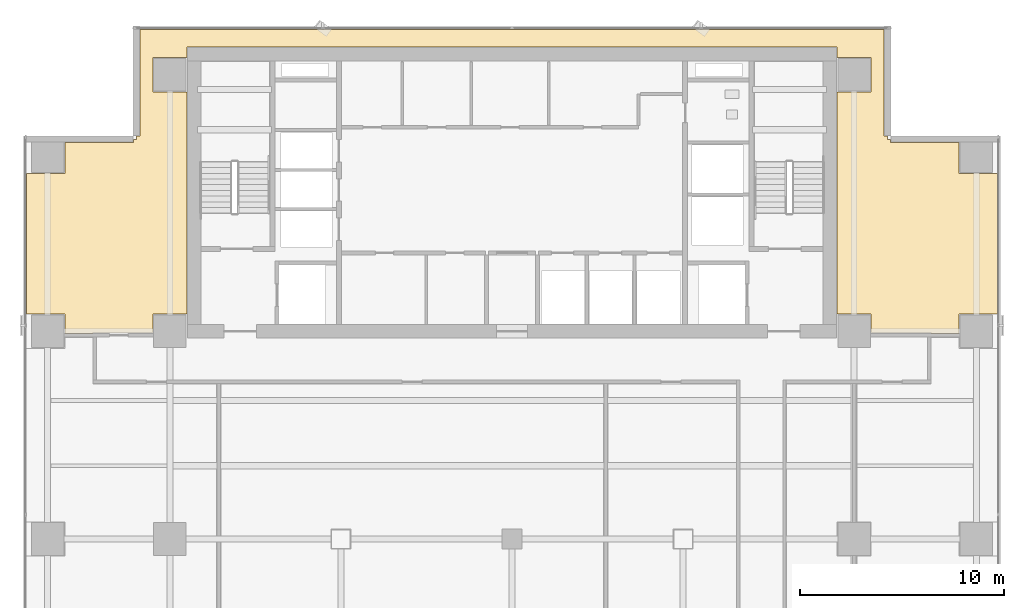
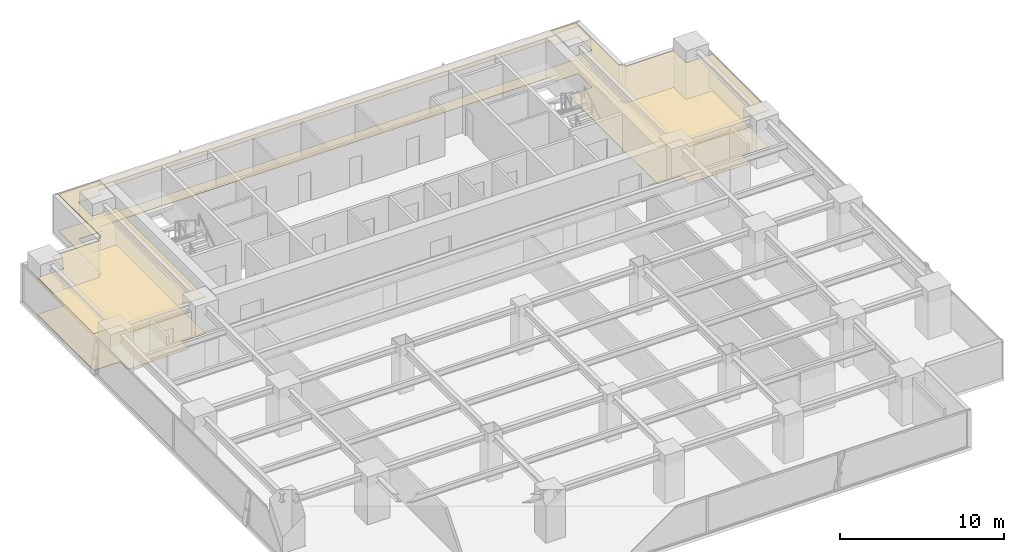
# One storey, part 25 of 27: 2 coverings.
"""IFC4 building model written with IfcOpenShell, lengths in metres."""

from ifc_helpers import new_model, si_unit, direction, frame, origin, place, context, subcontext, project, spatial, polyline, outline, extrude, material, layer, layer_set, type_object, element, save


model = new_model("IFC4")

# Units and contexts
model_context = context("Model", 3, precision=1e-05, world=origin(), true_north=direction((0.0, 1.0)))
body_context = subcontext(model_context, "Body", "Model", "MODEL_VIEW")
ifc_project = project(units=[si_unit("LENGTHUNIT", "METRE"), si_unit("AREAUNIT", "SQUARE_METRE"), si_unit("VOLUMEUNIT", "CUBIC_METRE"), si_unit("PLANEANGLEUNIT", "RADIAN"), si_unit("MASSUNIT", "GRAM", prefix="KILO")], contexts=[model_context])

# Site, building, storey
site_placement = place(None, origin())
site = spatial("IfcSite", under=ifc_project, at=site_placement, CompositionType="ELEMENT")
building_placement = place(site_placement, origin())
building = spatial("IfcBuilding", under=site, at=building_placement, Name="Sumidabori Civic Tower", CompositionType="ELEMENT")
storey_placement = place(building_placement, frame((0.0, 0.0, 160.39990234375)))
storey = spatial("IfcBuildingStorey", under=building, at=storey_placement, Name="L41", CompositionType="ELEMENT", Elevation=160.39990234375)

# Coverings
ifc_material_1 = material(Name="Perforated Timber Acoustic Ceiling", Category="wood")
ifc_layer_1 = layer(ifc_material_1, 0.044921875, Name="Perforated Timber Acoustic Ceiling")
ifc_layer_set_1 = layer_set([ifc_layer_1], Name="Perforated Timber Acoustic Ceiling")
covering_type_1 = type_object("IfcCoveringType", Name="CV-CEIL-AC2", PredefinedType="CEILING", material=ifc_layer_set_1)
covering_1_placement = place(storey_placement, frame((0.0, 0.0, 2.72998046875)))
element("IfcCovering", 1, at=covering_1_placement, inside=storey, type_object=covering_type_1, Name="Room Acoustic Ceiling L41-01", PredefinedType="CEILING", context=body_context, shape_type="SweptSolid", body=[
    extrude(outline(polyline([(-23.830078125, 17.9599609375), (-21.9599609375, 17.9599609375), (-21.9599609375, 19.471923828125), (-18.592041015625, 19.471923828125), (-18.592041015625, 19.6298828125), (-18.429931640625, 19.6298828125), (-18.429931640625, 19.7919921875), (-18.27197265625, 19.7919921875), (-18.27197265625, 25.030029296875), (18.27197265625, 25.030029296875), (18.27197265625, 19.7919921875), (18.429931640625, 19.7919921875), (18.429931640625, 19.6298828125), (18.592041015625, 19.6298828125), (18.592041015625, 19.471923828125), (21.9599609375, 19.471923828125), (21.9599609375, 17.9599609375), (23.830078125, 17.9599609375), (23.830078125, 11.0400390625), (21.9599609375, 11.0400390625), (21.9599609375, 10.1025390625), (20.5849609375, 10.1025390625), (20.5849609375, 10.135009765625), (17.639892578125, 10.135009765625), (17.639892578125, 11.0400390625), (15.952880859375, 11.0400390625), (15.952880859375, 21.9599609375), (17.639892578125, 21.9599609375), (17.639892578125, 23.639892578125), (15.952880859375, 23.639892578125), (15.952880859375, 24.153076171875), (-15.952880859375, 24.153076171875), (-15.952880859375, 23.639892578125), (-17.639892578125, 23.639892578125), (-17.639892578125, 21.9599609375), (-15.952880859375, 21.9599609375), (-15.952880859375, 11.0400390625), (-17.639892578125, 11.0400390625), (-17.639892578125, 10.135009765625), (-20.5849609375, 10.135009765625), (-20.5849609375, 10.1025390625), (-21.9599609375, 10.1025390625), (-21.9599609375, 11.0400390625), (-23.830078125, 11.0400390625), (-23.830078125, 17.9599609375)])), origin(), (0.0, 0.0, 1.0), 0.045166015625),
])
ifc_material_2 = material(Name="Honed Terrazzo Tile Flooring")
ifc_layer_2 = layer(ifc_material_2, 0.030029296875, Name="Honed Terrazzo Tile Flooring")
ifc_layer_set_2 = layer_set([ifc_layer_2], Name="Honed Terrazzo Tile Flooring")
covering_type_2 = type_object("IfcCoveringType", Name="CV-FLR-TER", PredefinedType="FLOORING", material=ifc_layer_set_2)
covering_2_placement = place(storey_placement, origin())
element("IfcCovering", 2, at=covering_2_placement, inside=storey, type_object=covering_type_2, Name="Room Terrazzo Floor L41-01", PredefinedType="FLOORING", context=body_context, shape_type="SweptSolid", body=[
    extrude(outline(polyline([(-23.830078125, 17.9599609375), (-21.9599609375, 17.9599609375), (-21.9599609375, 19.471923828125), (-18.592041015625, 19.471923828125), (-18.592041015625, 19.6298828125), (-18.429931640625, 19.6298828125), (-18.429931640625, 19.7919921875), (-18.27197265625, 19.7919921875), (-18.27197265625, 25.030029296875), (18.27197265625, 25.030029296875), (18.27197265625, 19.7919921875), (18.429931640625, 19.7919921875), (18.429931640625, 19.6298828125), (18.592041015625, 19.6298828125), (18.592041015625, 19.471923828125), (21.9599609375, 19.471923828125), (21.9599609375, 17.9599609375), (23.830078125, 17.9599609375), (23.830078125, 11.0400390625), (21.9599609375, 11.0400390625), (21.9599609375, 10.1025390625), (20.5849609375, 10.1025390625), (20.5849609375, 10.135009765625), (17.639892578125, 10.135009765625), (17.639892578125, 11.0400390625), (15.952880859375, 11.0400390625), (15.952880859375, 21.9599609375), (17.639892578125, 21.9599609375), (17.639892578125, 23.639892578125), (15.952880859375, 23.639892578125), (15.952880859375, 24.153076171875), (-15.952880859375, 24.153076171875), (-15.952880859375, 23.639892578125), (-17.639892578125, 23.639892578125), (-17.639892578125, 21.9599609375), (-15.952880859375, 21.9599609375), (-15.952880859375, 11.0400390625), (-17.639892578125, 11.0400390625), (-17.639892578125, 10.135009765625), (-20.5849609375, 10.135009765625), (-20.5849609375, 10.1025390625), (-21.9599609375, 10.1025390625), (-21.9599609375, 11.0400390625), (-23.830078125, 11.0400390625), (-23.830078125, 17.9599609375)])), origin(), (0.0, 0.0, 1.0), 0.030029296875),
])

save(model, "model.ifc")
